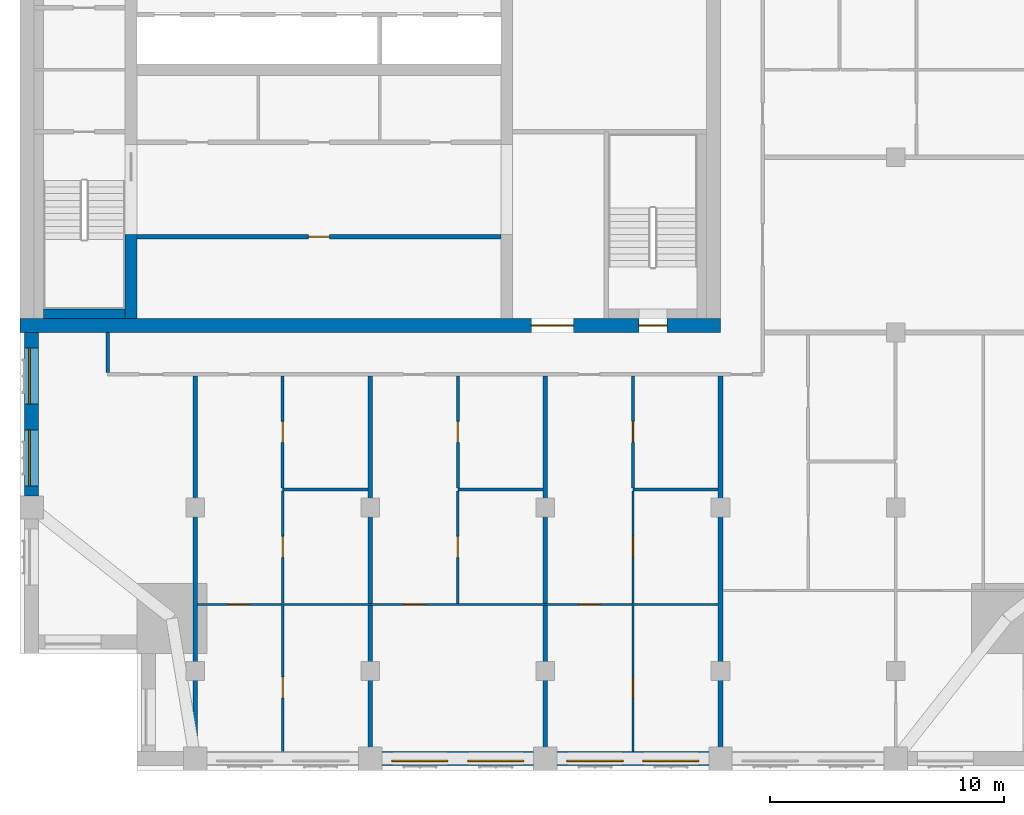
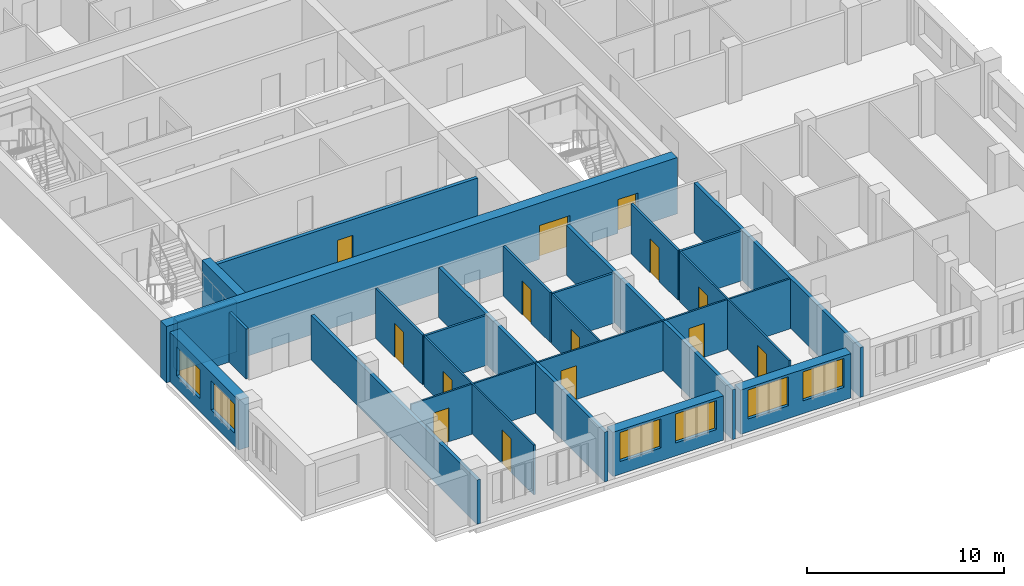
# One storey, part 3 of 11: 22 walls, 14 doors, 6 windows, 20 openings.
"""IFC4 building model written with IfcOpenShell, lengths in metres."""

import ifcopenshell
import ifcopenshell.guid

model = None  # the IFC model being written
_history = None  # IfcOwnerHistory: only IFC2X3 demands one
_inside = {}  # id of a spatial element -> (the spatial element, [elements in it])
_under = {}  # id of a project, library or spatial element -> (it, [spatial elements below it])
_declared = {}  # id of a project -> (the project, [libraries it declares])
_typed = {}  # id of a type object -> (the type object, [elements of that type])
_made_of = {}  # id of a material, layer set ... -> (it, [elements and type objects made of it])


def new_model(schema):
    """Start an empty IFC model of exactly this schema.

    Asked for "IFC4X3", IfcOpenShell would pick the latest addendum, in which some entities
    have other attributes; the version numbers below select the first issue.
    IFC2X3 requires an IfcOwnerHistory on every rooted entity: one is made here for all.
    """
    global model, _history
    if schema == "IFC4X3":
        model = ifcopenshell.file(schema_version=(4, 3, 0, 0))
    else:
        model = ifcopenshell.file(schema=schema)
    _inside.clear()
    _under.clear()
    _declared.clear()
    _typed.clear()
    _made_of.clear()
    _history = None
    if model.schema == "IFC2X3":
        org = make("IfcOrganization", Name="unknown")
        user = make(
            "IfcPersonAndOrganization",
            ThePerson=make("IfcPerson", FamilyName="unknown"),
            TheOrganization=org,
        )
        app = make(
            "IfcApplication",
            ApplicationDeveloper=org,
            Version="unknown",
            ApplicationFullName="unknown",
            ApplicationIdentifier="unknown",
        )
        _history = make(
            "IfcOwnerHistory",
            OwningUser=user,
            OwningApplication=app,
            ChangeAction="ADDED",
            CreationDate=0,
        )
    return model


def make(cls, **values):
    """One entity of the class cls with the attributes given. An attribute that is None is left unset."""
    return model.create_entity(
        cls, **{name: value for name, value in values.items() if value is not None}
    )


def rooted(cls, **values):
    """An entity with a GlobalId (a new one), such as an element, a storey or a relation."""
    return make(cls, GlobalId=ifcopenshell.guid.new(), OwnerHistory=_history, **values)


def si_unit(unit_type, name, prefix=None):
    """IfcSIUnit, for example si_unit("LENGTHUNIT", "METRE", prefix="MILLI")."""
    return make("IfcSIUnit", UnitType=unit_type, Prefix=prefix, Name=name)


def assignment(units):
    """IfcUnitAssignment: the units of a project."""
    return None if units is None else make("IfcUnitAssignment", Units=units)


def point(xyz):
    """IfcCartesianPoint."""
    return None if xyz is None else make("IfcCartesianPoint", Coordinates=xyz)


def direction(xyz):
    """IfcDirection."""
    return None if xyz is None else make("IfcDirection", DirectionRatios=xyz)


def frame(location, z_axis=None, x_axis=None):
    """IfcAxis2Placement3D, a coordinate frame: its origin and axes. An axis left out is left unset."""
    return make(
        "IfcAxis2Placement3D",
        Location=point(location),
        Axis=direction(z_axis),
        RefDirection=direction(x_axis),
    )


def frame_2d(location, x_axis=None):
    """IfcAxis2Placement2D, a coordinate frame in the plane: its origin and x axis."""
    return make(
        "IfcAxis2Placement2D", Location=point(location), RefDirection=direction(x_axis)
    )


def origin():
    """The frame at (0, 0, 0) with its axes left unset."""
    return frame((0.0, 0.0, 0.0))


def place(relative_to, where):
    """IfcLocalPlacement: puts the frame where relative to a parent placement (None: the world)."""
    return make(
        "IfcLocalPlacement", PlacementRelTo=relative_to, RelativePlacement=where
    )


def context(
    kind, dimensions, precision=None, world=None, true_north=None, identifier=None
):
    """IfcGeometricRepresentationContext, for example the 3D "Model" context."""
    return make(
        "IfcGeometricRepresentationContext",
        ContextIdentifier=identifier,
        ContextType=kind,
        CoordinateSpaceDimension=dimensions,
        Precision=precision,
        WorldCoordinateSystem=world,
        TrueNorth=true_north,
    )


def subcontext(parent, identifier, kind, view, scale=None):
    """IfcGeometricRepresentationSubContext, for example "Body" below "Model"."""
    return make(
        "IfcGeometricRepresentationSubContext",
        ContextIdentifier=identifier,
        ContextType=kind,
        ParentContext=parent,
        TargetScale=scale,
        TargetView=view,
    )


def project(units=None, contexts=None):
    """IfcProject with its units and contexts."""
    return rooted(
        "IfcProject",
        Name="project",
        RepresentationContexts=contexts,
        UnitsInContext=assignment(units),
    )


def spatial(cls, under=None, at=None, **own):
    """A site, building, storey or space (cls), placed at a placement, below another one or the project."""
    s = rooted(cls, ObjectPlacement=at, **own)
    if under is not None:
        _under.setdefault(under.id(), (under, []))[1].append(s)
    return s


def profile(cls, at=None, kind="AREA", **sizes):
    """A parametric profile (cls). Its sizes go by their IFC names, for example OverallWidth=200.0."""
    return make(cls, ProfileType=kind, Position=at, **sizes)


def rectangle(**sizes):
    """IfcRectangleProfileDef."""
    return profile("IfcRectangleProfileDef", **sizes)


def extrude(swept, where, along, depth):
    """IfcExtrudedAreaSolid: the profile swept, set in the frame where, extruded along a direction by depth."""
    return make(
        "IfcExtrudedAreaSolid",
        SweptArea=swept,
        Position=where,
        ExtrudedDirection=direction(along),
        Depth=depth,
    )


def shape(context_of_items, identifier, shape_type, items):
    """IfcShapeRepresentation: the items that make up one representation, for example the "Body"."""
    return make(
        "IfcShapeRepresentation",
        ContextOfItems=context_of_items,
        RepresentationIdentifier=identifier,
        RepresentationType=shape_type,
        Items=items,
    )


def material(Name=None, Category=None):
    """IfcMaterial."""
    return make("IfcMaterial", Name=Name, Category=Category)


def layer(
    of_material, thickness, ventilated=None, Name=None, Category=None, Priority=None
):
    """IfcMaterialLayer: one layer of a wall or slab, of a material (None: an air gap)."""
    return make(
        "IfcMaterialLayer",
        Material=of_material,
        LayerThickness=thickness,
        IsVentilated=ventilated,
        Name=Name,
        Category=Category,
        Priority=Priority,
    )


def layer_set(layers, Name=None):
    """IfcMaterialLayerSet."""
    return make("IfcMaterialLayerSet", MaterialLayers=layers, LayerSetName=Name)


def made_of(thing, what):
    """Note that an element or type object is made of a material, layer set ...; save() writes the relation."""
    if what is not None:
        _made_of.setdefault(what.id(), (what, []))[1].append(thing)
    return thing


def type_object(cls, material=None, **own):
    """A type object (cls), such as IfcWallType, which elements share."""
    return made_of(rooted(cls, **own), material)


def element(
    cls,
    number,
    at=None,
    inside=None,
    cuts=None,
    type_object=None,
    material=None,
    context=None,
    identifier="Body",
    shape_type=None,
    held_by="IfcProductDefinitionShape",
    body=None,
    shapes=None,
    **own,
):
    """One element of the class cls, such as IfcWall. Its Tag is "e" and its number.

    at: its placement. inside: the storey or other place that contains it. cuts: it is an
    opening in that element (IfcRelVoidsElement). A single representation is given by context,
    identifier, shape_type and body (its items); several are given by shapes. held_by: the class
    of the entity that holds the representations. save() writes the other relations.
    """
    e = rooted(cls, Tag="e%d" % number, ObjectPlacement=at, **own)
    if body is not None:
        shapes = [shape(context, identifier, shape_type, body)]
    if shapes is not None:
        e.Representation = make(held_by, Representations=shapes)
    if inside is not None:
        _inside.setdefault(inside.id(), (inside, []))[1].append(e)
    if cuts is not None:
        rooted(
            "IfcRelVoidsElement", RelatingBuildingElement=cuts, RelatedOpeningElement=e
        )
    if type_object is not None:
        _typed.setdefault(type_object.id(), (type_object, []))[1].append(e)
    return made_of(e, material)


def fill(opening, filler):
    """IfcRelFillsElement: the door or window that sits in an opening."""
    return rooted(
        "IfcRelFillsElement",
        RelatingOpeningElement=opening,
        RelatedBuildingElement=filler,
    )


def aggregate(whole, parts):
    """IfcRelAggregates: a whole, such as a stair, and the parts it consists of."""
    return rooted("IfcRelAggregates", RelatingObject=whole, RelatedObjects=parts)


def save(model, path):
    """Write the relations noted so far, then the file.

    IfcRelAggregates (storeys below a building ...), IfcRelContainedInSpatialStructure (elements
    in a storey), IfcRelDefinesByType, IfcRelAssociatesMaterial and IfcRelDeclares: one each for
    every whole, place, type object, material and project.
    """
    for whole, parts in _under.values():
        aggregate(whole, parts)
    for where, things in _inside.values():
        rooted(
            "IfcRelContainedInSpatialStructure",
            RelatedElements=things,
            RelatingStructure=where,
        )
    for kind, things in _typed.values():
        rooted("IfcRelDefinesByType", RelatedObjects=things, RelatingType=kind)
    for what, things in _made_of.values():
        rooted("IfcRelAssociatesMaterial", RelatedObjects=things, RelatingMaterial=what)
    for by, libraries in _declared.values():
        rooted("IfcRelDeclares", RelatingContext=by, RelatedDefinitions=libraries)
    model.write(path)


model = new_model("IFC4")

# Units and contexts
model_context = context("Model", 3, precision=1e-05, world=origin(), true_north=direction((0.0, 1.0)))
body_context = subcontext(model_context, "Body", "Model", "MODEL_VIEW")
ifc_project = project(units=[si_unit("LENGTHUNIT", "METRE"), si_unit("AREAUNIT", "SQUARE_METRE"), si_unit("VOLUMEUNIT", "CUBIC_METRE"), si_unit("PLANEANGLEUNIT", "RADIAN"), si_unit("MASSUNIT", "GRAM", prefix="KILO")], contexts=[model_context])

# Site, building, storey
site_placement = place(None, origin())
site = spatial("IfcSite", under=ifc_project, at=site_placement, CompositionType="ELEMENT")
building_placement = place(site_placement, origin())
building = spatial("IfcBuilding", under=site, at=building_placement, Name="Tamorin Gate", CompositionType="ELEMENT")
storey_placement = place(building_placement, frame((0.0, 0.0, 254.699951171875)))
storey = spatial("IfcBuildingStorey", under=building, at=storey_placement, Name="L64", CompositionType="ELEMENT", Elevation=254.699951171875)

# Wall, openings, windows
ifc_material_1 = material(Name="Precast concrete C40/50", Category="concrete")
ifc_layer_1 = layer(ifc_material_1, 0.60009765625)
ifc_layer_set_1 = layer_set([ifc_layer_1], Name="Precast concrete C40/50")
wall_type_1 = type_object("IfcWallType", Name="Board-marked concrete facade panel 600", PredefinedType="SOLIDWALL", material=ifc_layer_set_1)
wall_1_placement = place(storey_placement, frame((45.5, 41.75, 0.0), z_axis=(0.0, 0.0, 1.0), x_axis=(1.0, 0.0, 0.0)))
wall_1 = element("IfcWall", 1, at=wall_1_placement, inside=storey, type_object=wall_type_1, Name="Facade panel", PredefinedType="SOLIDWALL", context=body_context, shape_type="SweptSolid", body=[
    extrude(rectangle(XDim=6.5, YDim=0.60009765625, at=frame_2d((3.25, 0.0))), origin(), (0.0, 0.0, 1.0), 2.75),
])
opening_1_placement = place(wall_1_placement, frame((0.425048828125, 0.0, 0.800048828125)))
opening_1 = element("IfcOpeningElement", 2, at=opening_1_placement, cuts=wall_1, Name="Opening WN1", PredefinedType="OPENING", context=body_context, shape_type="SweptSolid", body=[
    extrude(rectangle(XDim=2.39990234375, YDim=1.800048828125, at=frame_2d((1.199951171875, 0.89990234375))), frame((0.0, 0.31005859375, 0.0), z_axis=(0.0, -1.0, 0.0), x_axis=(1.0, 0.0, 0.0)), (0.0, 0.0, 1.0), 0.6201171875),
])
opening_2_placement = place(wall_1_placement, frame((3.675048828125, 0.0, 0.800048828125)))
opening_2 = element("IfcOpeningElement", 3, at=opening_2_placement, cuts=wall_1, Name="Opening WN1", PredefinedType="OPENING", context=body_context, shape_type="SweptSolid", body=[
    extrude(rectangle(XDim=2.39990234375, YDim=1.800048828125, at=frame_2d((1.199951171875, 0.89990234375))), frame((0.0, 0.31005859375, 0.0), z_axis=(0.0, -1.0, 0.0), x_axis=(1.0, 0.0, 0.0)), (0.0, 0.0, 1.0), 0.6201171875),
])
ifc_material_2 = material(Name="Clear glass in aluminium frame", Category="aluminium")
window_type = type_object("IfcWindowType", Name="Deep-set window 2400x1800", PartitioningType="SINGLE_PANEL", PredefinedType="WINDOW", material=ifc_material_2)
window_1_placement = place(opening_1_placement, origin())
window_1 = element("IfcWindow", 4, at=window_1_placement, inside=storey, type_object=window_type, Name="Deep-set window", OverallHeight=1.800048828125, OverallWidth=2.39990234375, PartitioningType="SINGLE_PANEL", PredefinedType="WINDOW", context=body_context, shape_type="SweptSolid", body=[
    extrude(rectangle(XDim=2.39990234375, YDim=1.800048828125, at=frame_2d((1.199951171875, 0.89990234375))), frame((0.0, -0.070068359375, 0.0), z_axis=(0.0, -1.0, 0.0), x_axis=(1.0, 0.0, 0.0)), (0.0, 0.0, 1.0), 0.06005859375),
])
fill(opening_1, window_1)
window_2_placement = place(opening_2_placement, origin())
window_2 = element("IfcWindow", 5, at=window_2_placement, inside=storey, type_object=window_type, Name="Deep-set window", OverallHeight=1.800048828125, OverallWidth=2.39990234375, PartitioningType="SINGLE_PANEL", PredefinedType="WINDOW", context=body_context, shape_type="SweptSolid", body=[
    extrude(rectangle(XDim=2.39990234375, YDim=1.800048828125, at=frame_2d((1.199951171875, 0.89990234375))), frame((0.0, -0.070068359375, 0.0), z_axis=(0.0, -1.0, 0.0), x_axis=(1.0, 0.0, 0.0)), (0.0, 0.0, 1.0), 0.06005859375),
])
fill(opening_2, window_2)

wall_2_placement = place(storey_placement, frame((53.0, 41.75, 0.0), z_axis=(0.0, 0.0, 1.0), x_axis=(1.0, 0.0, 0.0)))
wall_2 = element("IfcWall", 6, at=wall_2_placement, inside=storey, type_object=wall_type_1, Name="Facade panel", PredefinedType="SOLIDWALL", context=body_context, shape_type="SweptSolid", body=[
    extrude(rectangle(XDim=6.5, YDim=0.60009765625, at=frame_2d((3.25, 0.0))), origin(), (0.0, 0.0, 1.0), 2.75),
])
opening_3_placement = place(wall_2_placement, frame((0.425048828125, 0.0, 0.800048828125)))
opening_3 = element("IfcOpeningElement", 7, at=opening_3_placement, cuts=wall_2, Name="Opening WN1", PredefinedType="OPENING", context=body_context, shape_type="SweptSolid", body=[
    extrude(rectangle(XDim=2.39990234375, YDim=1.800048828125, at=frame_2d((1.199951171875, 0.89990234375))), frame((0.0, 0.31005859375, 0.0), z_axis=(0.0, -1.0, 0.0), x_axis=(1.0, 0.0, 0.0)), (0.0, 0.0, 1.0), 0.6201171875),
])
opening_4_placement = place(wall_2_placement, frame((3.675048828125, 0.0, 0.800048828125)))
opening_4 = element("IfcOpeningElement", 8, at=opening_4_placement, cuts=wall_2, Name="Opening WN1", PredefinedType="OPENING", context=body_context, shape_type="SweptSolid", body=[
    extrude(rectangle(XDim=2.39990234375, YDim=1.800048828125, at=frame_2d((1.199951171875, 0.89990234375))), frame((0.0, 0.31005859375, 0.0), z_axis=(0.0, -1.0, 0.0), x_axis=(1.0, 0.0, 0.0)), (0.0, 0.0, 1.0), 0.6201171875),
])
window_3_placement = place(opening_3_placement, origin())
window_3 = element("IfcWindow", 9, at=window_3_placement, inside=storey, type_object=window_type, Name="Deep-set window", OverallHeight=1.800048828125, OverallWidth=2.39990234375, PartitioningType="SINGLE_PANEL", PredefinedType="WINDOW", context=body_context, shape_type="SweptSolid", body=[
    extrude(rectangle(XDim=2.39990234375, YDim=1.800048828125, at=frame_2d((1.199951171875, 0.89990234375))), frame((0.0, -0.070068359375, 0.0), z_axis=(0.0, -1.0, 0.0), x_axis=(1.0, 0.0, 0.0)), (0.0, 0.0, 1.0), 0.06005859375),
])
fill(opening_3, window_3)
window_4_placement = place(opening_4_placement, origin())
window_4 = element("IfcWindow", 10, at=window_4_placement, inside=storey, type_object=window_type, Name="Deep-set window", OverallHeight=1.800048828125, OverallWidth=2.39990234375, PartitioningType="SINGLE_PANEL", PredefinedType="WINDOW", context=body_context, shape_type="SweptSolid", body=[
    extrude(rectangle(XDim=2.39990234375, YDim=1.800048828125, at=frame_2d((1.199951171875, 0.89990234375))), frame((0.0, -0.070068359375, 0.0), z_axis=(0.0, -1.0, 0.0), x_axis=(1.0, 0.0, 0.0)), (0.0, 0.0, 1.0), 0.06005859375),
])
fill(opening_4, window_4)

wall_3_placement = place(storey_placement, frame((30.5, 60.0, 0.0), z_axis=(0.0, 0.0, 1.0), x_axis=(0.0, -1.0, 0.0)))
wall_3 = element("IfcWall", 11, at=wall_3_placement, inside=storey, type_object=wall_type_1, Name="Facade panel", PredefinedType="SOLIDWALL", context=body_context, shape_type="SweptSolid", body=[
    extrude(rectangle(XDim=7.0, YDim=0.60009765625, at=frame_2d((3.5, 0.0))), origin(), (0.0, 0.0, 1.0), 3.10009765625),
])
opening_5_placement = place(wall_3_placement, frame((4.175048828125, 0.0, 0.800048828125)))
opening_5 = element("IfcOpeningElement", 12, at=opening_5_placement, cuts=wall_3, Name="Opening WN1", PredefinedType="OPENING", context=body_context, shape_type="SweptSolid", body=[
    extrude(rectangle(XDim=2.39990234375, YDim=1.800048828125, at=frame_2d((1.199951171875, 0.89990234375))), frame((0.0, 0.31005859375, 0.0), z_axis=(0.0, -1.0, 0.0), x_axis=(1.0, 0.0, 0.0)), (0.0, 0.0, 1.0), 0.6201171875),
])
opening_6_placement = place(wall_3_placement, frame((0.675048828125, 0.0, 0.800048828125)))
opening_6 = element("IfcOpeningElement", 13, at=opening_6_placement, cuts=wall_3, Name="Opening WN1", PredefinedType="OPENING", context=body_context, shape_type="SweptSolid", body=[
    extrude(rectangle(XDim=2.39990234375, YDim=1.800048828125, at=frame_2d((1.199951171875, 0.89990234375))), frame((0.0, 0.31005859375, 0.0), z_axis=(0.0, -1.0, 0.0), x_axis=(1.0, 0.0, 0.0)), (0.0, 0.0, 1.0), 0.6201171875),
])
window_5_placement = place(opening_5_placement, origin())
window_5 = element("IfcWindow", 14, at=window_5_placement, inside=storey, type_object=window_type, Name="Deep-set window", OverallHeight=1.800048828125, OverallWidth=2.39990234375, PartitioningType="SINGLE_PANEL", PredefinedType="WINDOW", context=body_context, shape_type="SweptSolid", body=[
    extrude(rectangle(XDim=2.39990234375, YDim=1.800048828125, at=frame_2d((1.199951171875, 0.89990234375))), frame((0.0, -0.070068359375, 0.0), z_axis=(0.0, -1.0, 0.0), x_axis=(1.0, 0.0, 0.0)), (0.0, 0.0, 1.0), 0.06005859375),
])
fill(opening_5, window_5)
window_6_placement = place(opening_6_placement, origin())
window_6 = element("IfcWindow", 15, at=window_6_placement, inside=storey, type_object=window_type, Name="Deep-set window", OverallHeight=1.800048828125, OverallWidth=2.39990234375, PartitioningType="SINGLE_PANEL", PredefinedType="WINDOW", context=body_context, shape_type="SweptSolid", body=[
    extrude(rectangle(XDim=2.39990234375, YDim=1.800048828125, at=frame_2d((1.199951171875, 0.89990234375))), frame((0.0, -0.070068359375, 0.0), z_axis=(0.0, -1.0, 0.0), x_axis=(1.0, 0.0, 0.0)), (0.0, 0.0, 1.0), 0.06005859375),
])
fill(opening_6, window_6)

# Walls
ifc_material_3 = material(Name="Gypsum board partition")
ifc_layer_2 = layer(ifc_material_3, 0.14990234375)
ifc_layer_set_2 = layer_set([ifc_layer_2], Name="Corridor wall 150")
wall_type_2 = type_object("IfcWallType", Name="Corridor wall 150", PredefinedType="PARTITIONING", material=ifc_layer_set_2)
wall_4_placement = place(storey_placement, frame((33.75, 58.27490234375, 0.0), z_axis=(0.0, 0.0, 1.0), x_axis=(0.0, 1.0, 0.0)))
element("IfcWall", 16, at=wall_4_placement, inside=storey, type_object=wall_type_2, Name="Corridor wall 150", PredefinedType="PARTITIONING", context=body_context, shape_type="SweptSolid", body=[
    extrude(rectangle(XDim=1.72509765625, YDim=0.14990234375, at=frame_2d((0.862548828125, 0.0))), origin(), (0.0, 0.0, 1.0), 3.10009765625),
])
ifc_layer_3 = layer(ifc_material_3, 0.199951171875)
ifc_layer_set_3 = layer_set([ifc_layer_3], Name="Demising wall 200")
wall_type_3 = type_object("IfcWallType", Name="Demising wall 200", PredefinedType="PARTITIONING", material=ifc_layer_set_3)
wall_5_placement = place(storey_placement, frame((37.5, 41.25, 0.0), z_axis=(0.0, 0.0, 1.0), x_axis=(0.0, 1.0, 0.0)))
element("IfcWall", 17, at=wall_5_placement, inside=storey, type_object=wall_type_3, Name="Demising wall 200", PredefinedType="PARTITIONING", context=body_context, shape_type="SweptSolid", body=[
    extrude(rectangle(XDim=16.875, YDim=0.199951171875, at=frame_2d((8.4375, 0.0))), origin(), (0.0, 0.0, 1.0), 2.75),
])
for number, where, z_axis, x_axis, name in (
    (18, (45.0, 41.25, 0.0), (0.0, 0.0, 1.0), (0.0, 1.0, 0.0), "Demising wall 200"),
    (19, (52.5, 41.25, 0.0), (0.0, 0.0, 1.0), (0.0, 1.0, 0.0), "Demising wall 200"),
    (20, (60.0, 41.25, 0.0), (0.0, 0.0, 1.0), (0.0, 1.0, 0.0), "Demising wall 200"),
):
    element("IfcWall", number, at=place(storey_placement, frame(where, z_axis=z_axis, x_axis=x_axis)), inside=storey, type_object=wall_type_3, Name=name, PredefinedType="PARTITIONING", context=body_context, shape_type="SweptSolid", body=[
        extrude(rectangle(XDim=16.875, YDim=0.199951171875, at=frame_2d((8.4375, 0.0))), origin(), (0.0, 0.0, 1.0), 3.10009765625),
    ])
ifc_material_4 = material(Name="Concrete C50/60", Category="concrete")
ifc_layer_4 = layer(ifc_material_4, 0.5)
ifc_layer_set_4 = layer_set([ifc_layer_4], Name="RC core internal wall 500 C50/60")
wall_type_4 = type_object("IfcWallType", Name="RC core internal wall 500 C50/60", PredefinedType="SHEAR", material=ifc_layer_set_4)
wall_6_placement = place(storey_placement, frame((34.75, 60.60009765625, 0.0), z_axis=(0.0, 0.0, 1.0), x_axis=(0.0, 1.0, 0.0)))
element("IfcWall", 21, at=wall_6_placement, inside=storey, type_object=wall_type_4, Name="Core cross wall L64", PredefinedType="SHEAR", context=body_context, shape_type="SweptSolid", body=[
    extrude(rectangle(XDim=3.599853515625, YDim=0.5, at=frame_2d((1.7998046875, 0.0))), origin(), (0.0, 0.0, 1.0), 3.5),
])

# Wall, openings, doors
ifc_layer_5 = layer(ifc_material_4, 0.60009765625)
ifc_layer_set_5 = layer_set([ifc_layer_5], Name="RC core wall 600 C50/60")
wall_type_5 = type_object("IfcWallType", Name="RC core wall 600 C50/60", PredefinedType="SHEAR", material=ifc_layer_set_5)
wall_7_placement = place(storey_placement, frame((30.0, 60.300048828125, 0.0), z_axis=(0.0, 0.0, 1.0), x_axis=(1.0, 0.0, 0.0)))
wall_7 = element("IfcWall", 22, at=wall_7_placement, inside=storey, type_object=wall_type_5, Name="Core wall L64", PredefinedType="SHEAR", context=body_context, shape_type="SweptSolid", body=[
    extrude(rectangle(XDim=30.0, YDim=0.60009765625, at=frame_2d((15.0, 0.0))), origin(), (0.0, 0.0, 1.0), 3.5),
])
opening_7_placement = place(wall_7_placement, frame((21.89990234375, 0.0, 0.0)))
opening_7 = element("IfcOpeningElement", 23, at=opening_7_placement, cuts=wall_7, Name="Opening DE1", PredefinedType="OPENING", context=body_context, shape_type="SweptSolid", body=[
    extrude(rectangle(XDim=1.800048828125, YDim=2.10009765625, at=frame_2d((0.89990234375, 1.050048828125))), frame((0.0, 0.31005859375, 0.0), z_axis=(0.0, -1.0, 0.0), x_axis=(1.0, 0.0, 0.0)), (0.0, 0.0, 1.0), 0.6201171875),
])
opening_8_placement = place(wall_7_placement, frame((26.5, 0.0, 0.0)))
opening_8 = element("IfcOpeningElement", 24, at=opening_8_placement, cuts=wall_7, Name="Opening DS1", PredefinedType="OPENING", context=body_context, shape_type="SweptSolid", body=[
    extrude(rectangle(XDim=1.199951171875, YDim=2.10009765625, at=frame_2d((0.60009765625, 1.050048828125))), frame((0.0, 0.31005859375, 0.0), z_axis=(0.0, -1.0, 0.0), x_axis=(1.0, 0.0, 0.0)), (0.0, 0.0, 1.0), 0.6201171875),
])
ifc_material_5 = material(Name="Steel fire door", Category="steel")
door_type_1 = type_object("IfcDoorType", Name="Lobby exit double door 1800 x 2100 EI 60", OperationType="DOUBLE_DOOR_SINGLE_SWING", PredefinedType="DOOR", material=ifc_material_5)
door_1_placement = place(opening_7_placement, origin())
door_1 = element("IfcDoor", 25, at=door_1_placement, inside=storey, type_object=door_type_1, Name="Lift lobby A exit door", OperationType="DOUBLE_DOOR_SINGLE_SWING", OverallHeight=2.10009765625, OverallWidth=1.800048828125, PredefinedType="DOOR", context=body_context, shape_type="SweptSolid", body=[
    extrude(rectangle(XDim=1.800048828125, YDim=2.10009765625, at=frame_2d((0.89990234375, 1.050048828125))), frame((0.0, 0.02490234375, 0.0), z_axis=(0.0, -1.0, 0.0), x_axis=(1.0, 0.0, 0.0)), (0.0, 0.0, 1.0), 0.050048828125),
])
fill(opening_7, door_1)
door_type_2 = type_object("IfcDoorType", Name="Stair door 1200 x 2100 EI 90", OperationType="SINGLE_SWING_LEFT", PredefinedType="DOOR", material=ifc_material_5)
door_2_placement = place(opening_8_placement, origin())
door_2 = element("IfcDoor", 26, at=door_2_placement, inside=storey, type_object=door_type_2, Name="ST3 door", OperationType="SINGLE_SWING_LEFT", OverallHeight=2.10009765625, OverallWidth=1.199951171875, PredefinedType="DOOR", context=body_context, shape_type="SweptSolid", body=[
    extrude(rectangle(XDim=1.199951171875, YDim=2.10009765625, at=frame_2d((0.60009765625, 1.050048828125))), frame((0.0, 0.02490234375, 0.0), z_axis=(0.0, -1.0, 0.0), x_axis=(1.0, 0.0, 0.0)), (0.0, 0.0, 1.0), 0.050048828125),
])
fill(opening_8, door_2)

ifc_layer_6 = layer(ifc_material_3, 0.10009765625)
ifc_layer_set_6 = layer_set([ifc_layer_6], Name="Room partition 100")
wall_type_6 = type_object("IfcWallType", Name="Room partition 100", PredefinedType="PARTITIONING", material=ifc_layer_set_6)
wall_8_placement = place(storey_placement, frame((37.60009765625, 48.35009765625, 0.0), z_axis=(0.0, 0.0, 1.0), x_axis=(1.0, 0.0, 0.0)))
wall_8 = element("IfcWall", 27, at=wall_8_placement, inside=storey, type_object=wall_type_6, Name="Room partition 100", PredefinedType="PARTITIONING", context=body_context, shape_type="SweptSolid", body=[
    extrude(rectangle(XDim=22.2998046875, YDim=0.10009765625, at=frame_2d((11.14990234375, 0.0))), origin(), (0.0, 0.0, 1.0), 3.10009765625),
])
opening_9_placement = place(wall_8_placement, frame((1.324951171875, 0.0, 0.0)))
opening_9 = element("IfcOpeningElement", 28, at=opening_9_placement, cuts=wall_8, Name="Opening DR6003", PredefinedType="OPENING", context=body_context, shape_type="SweptSolid", body=[
    extrude(rectangle(XDim=0.89990234375, YDim=2.10009765625, at=frame_2d((0.449951171875, 1.050048828125))), frame((0.0, 0.06005859375, 0.0), z_axis=(0.0, -1.0, 0.0), x_axis=(1.0, 0.0, 0.0)), (0.0, 0.0, 1.0), 0.1201171875),
])
opening_10_placement = place(wall_8_placement, frame((8.824951171875, 0.0, 0.0)))
opening_10 = element("IfcOpeningElement", 29, at=opening_10_placement, cuts=wall_8, Name="Opening DR6008", PredefinedType="OPENING", context=body_context, shape_type="SweptSolid", body=[
    extrude(rectangle(XDim=0.89990234375, YDim=2.10009765625, at=frame_2d((0.449951171875, 1.050048828125))), frame((0.0, 0.06005859375, 0.0), z_axis=(0.0, -1.0, 0.0), x_axis=(1.0, 0.0, 0.0)), (0.0, 0.0, 1.0), 0.1201171875),
])
opening_11_placement = place(wall_8_placement, frame((16.324951171875, 0.0, 0.0)))
opening_11 = element("IfcOpeningElement", 30, at=opening_11_placement, cuts=wall_8, Name="Opening DR6012", PredefinedType="OPENING", context=body_context, shape_type="SweptSolid", body=[
    extrude(rectangle(XDim=0.89990234375, YDim=2.10009765625, at=frame_2d((0.449951171875, 1.050048828125))), frame((0.0, 0.06005859375, 0.0), z_axis=(0.0, -1.0, 0.0), x_axis=(1.0, 0.0, 0.0)), (0.0, 0.0, 1.0), 0.1201171875),
])
ifc_material_6 = material(Name="Timber door leaf", Category="wood")
door_type_3 = type_object("IfcDoorType", Name="Door 900 x 2100", OperationType="NOTDEFINED", PredefinedType="DOOR", material=ifc_material_6)
door_3_placement = place(opening_9_placement, origin())
door_3 = element("IfcDoor", 31, at=door_3_placement, inside=storey, type_object=door_type_3, Name="Door DR6003", OperationType="SINGLE_SWING_LEFT", OverallHeight=2.10009765625, OverallWidth=0.89990234375, PredefinedType="DOOR", context=body_context, shape_type="SweptSolid", body=[
    extrude(rectangle(XDim=0.89990234375, YDim=2.10009765625, at=frame_2d((0.449951171875, 1.050048828125))), frame((0.0, 0.02490234375, 0.0), z_axis=(0.0, -1.0, 0.0), x_axis=(1.0, 0.0, 0.0)), (0.0, 0.0, 1.0), 0.050048828125),
])
fill(opening_9, door_3)
door_4_placement = place(opening_10_placement, origin())
door_4 = element("IfcDoor", 32, at=door_4_placement, inside=storey, type_object=door_type_3, Name="Door DR6008", OperationType="SINGLE_SWING_LEFT", OverallHeight=2.10009765625, OverallWidth=0.89990234375, PredefinedType="DOOR", context=body_context, shape_type="SweptSolid", body=[
    extrude(rectangle(XDim=0.89990234375, YDim=2.10009765625, at=frame_2d((0.449951171875, 1.050048828125))), frame((0.0, 0.02490234375, 0.0), z_axis=(0.0, -1.0, 0.0), x_axis=(1.0, 0.0, 0.0)), (0.0, 0.0, 1.0), 0.050048828125),
])
fill(opening_10, door_4)
door_5_placement = place(opening_11_placement, origin())
door_5 = element("IfcDoor", 33, at=door_5_placement, inside=storey, type_object=door_type_3, Name="Door DR6012", OperationType="SINGLE_SWING_LEFT", OverallHeight=2.10009765625, OverallWidth=0.89990234375, PredefinedType="DOOR", context=body_context, shape_type="SweptSolid", body=[
    extrude(rectangle(XDim=0.89990234375, YDim=2.10009765625, at=frame_2d((0.449951171875, 1.050048828125))), frame((0.0, 0.02490234375, 0.0), z_axis=(0.0, -1.0, 0.0), x_axis=(1.0, 0.0, 0.0)), (0.0, 0.0, 1.0), 0.050048828125),
])
fill(opening_11, door_5)

wall_9_placement = place(storey_placement, frame((41.25, 42.06005859375, 0.0), z_axis=(0.0, 0.0, 1.0), x_axis=(0.0, 1.0, 0.0)))
wall_9 = element("IfcWall", 34, at=wall_9_placement, inside=storey, type_object=wall_type_6, Name="Room partition 100", PredefinedType="PARTITIONING", context=body_context, shape_type="SweptSolid", body=[
    extrude(rectangle(XDim=11.15234375, YDim=0.10009765625, at=frame_2d((5.576171875, 0.0))), origin(), (0.0, 0.0, 1.0), 3.10009765625),
])
opening_12_placement = place(wall_9_placement, frame((8.302490234375, 0.0, 0.0)))
opening_12 = element("IfcOpeningElement", 35, at=opening_12_placement, cuts=wall_9, Name="Opening DR6004", PredefinedType="OPENING", context=body_context, shape_type="SweptSolid", body=[
    extrude(rectangle(XDim=0.89990234375, YDim=2.10009765625, at=frame_2d((0.449951171875, 1.050048828125))), frame((0.0, 0.06005859375, 0.0), z_axis=(0.0, -1.0, 0.0), x_axis=(1.0, 0.0, 0.0)), (0.0, 0.0, 1.0), 0.1201171875),
])
opening_13_placement = place(wall_9_placement, frame((2.2900390625, 0.0, 0.0)))
opening_13 = element("IfcOpeningElement", 36, at=opening_13_placement, cuts=wall_9, Name="Opening DR6006", PredefinedType="OPENING", context=body_context, shape_type="SweptSolid", body=[
    extrude(rectangle(XDim=0.89990234375, YDim=2.10009765625, at=frame_2d((0.449951171875, 1.050048828125))), frame((0.0, 0.06005859375, 0.0), z_axis=(0.0, -1.0, 0.0), x_axis=(1.0, 0.0, 0.0)), (0.0, 0.0, 1.0), 0.1201171875),
])
door_6_placement = place(opening_12_placement, origin())
door_6 = element("IfcDoor", 37, at=door_6_placement, inside=storey, type_object=door_type_3, Name="Door DR6004", OperationType="SINGLE_SWING_LEFT", OverallHeight=2.10009765625, OverallWidth=0.89990234375, PredefinedType="DOOR", context=body_context, shape_type="SweptSolid", body=[
    extrude(rectangle(XDim=0.89990234375, YDim=2.10009765625, at=frame_2d((0.449951171875, 1.050048828125))), frame((0.0, 0.02490234375, 0.0), z_axis=(0.0, -1.0, 0.0), x_axis=(1.0, 0.0, 0.0)), (0.0, 0.0, 1.0), 0.050048828125),
])
fill(opening_12, door_6)
door_7_placement = place(opening_13_placement, origin())
door_7 = element("IfcDoor", 38, at=door_7_placement, inside=storey, type_object=door_type_3, Name="Door DR6006", OperationType="SINGLE_SWING_LEFT", OverallHeight=2.10009765625, OverallWidth=0.89990234375, PredefinedType="DOOR", context=body_context, shape_type="SweptSolid", body=[
    extrude(rectangle(XDim=0.89990234375, YDim=2.10009765625, at=frame_2d((0.449951171875, 1.050048828125))), frame((0.0, 0.02490234375, 0.0), z_axis=(0.0, -1.0, 0.0), x_axis=(1.0, 0.0, 0.0)), (0.0, 0.0, 1.0), 0.050048828125),
])
fill(opening_13, door_7)

# Wall, opening, door
wall_10_placement = place(storey_placement, frame((48.75, 48.39990234375, 0.0), z_axis=(0.0, 0.0, 1.0), x_axis=(0.0, 1.0, 0.0)))
wall_10 = element("IfcWall", 39, at=wall_10_placement, inside=storey, type_object=wall_type_6, Name="Room partition 100", PredefinedType="PARTITIONING", context=body_context, shape_type="SweptSolid", body=[
    extrude(rectangle(XDim=4.8125, YDim=0.10009765625, at=frame_2d((2.40625, 0.0))), origin(), (0.0, 0.0, 1.0), 3.10009765625),
])
opening_14_placement = place(wall_10_placement, frame((1.96240234375, 0.0, 0.0)))
opening_14 = element("IfcOpeningElement", 40, at=opening_14_placement, cuts=wall_10, Name="Opening DR6009", PredefinedType="OPENING", context=body_context, shape_type="SweptSolid", body=[
    extrude(rectangle(XDim=0.89990234375, YDim=2.10009765625, at=frame_2d((0.449951171875, 1.050048828125))), frame((0.0, 0.06005859375, 0.0), z_axis=(0.0, -1.0, 0.0), x_axis=(1.0, 0.0, 0.0)), (0.0, 0.0, 1.0), 0.1201171875),
])
door_8_placement = place(opening_14_placement, origin())
door_8 = element("IfcDoor", 41, at=door_8_placement, inside=storey, type_object=door_type_3, Name="Door DR6009", OperationType="SINGLE_SWING_LEFT", OverallHeight=2.10009765625, OverallWidth=0.89990234375, PredefinedType="DOOR", context=body_context, shape_type="SweptSolid", body=[
    extrude(rectangle(XDim=0.89990234375, YDim=2.10009765625, at=frame_2d((0.449951171875, 1.050048828125))), frame((0.0, 0.02490234375, 0.0), z_axis=(0.0, -1.0, 0.0), x_axis=(1.0, 0.0, 0.0)), (0.0, 0.0, 1.0), 0.050048828125),
])
fill(opening_14, door_8)

# Wall, openings, doors
wall_11_placement = place(storey_placement, frame((56.25, 42.06005859375, 0.0), z_axis=(0.0, 0.0, 1.0), x_axis=(0.0, 1.0, 0.0)))
wall_11 = element("IfcWall", 42, at=wall_11_placement, inside=storey, type_object=wall_type_6, Name="Room partition 100", PredefinedType="PARTITIONING", context=body_context, shape_type="SweptSolid", body=[
    extrude(rectangle(XDim=11.15234375, YDim=0.10009765625, at=frame_2d((5.576171875, 0.0))), origin(), (0.0, 0.0, 1.0), 3.10009765625),
])
opening_15_placement = place(wall_11_placement, frame((8.302490234375, 0.0, 0.0)))
opening_15 = element("IfcOpeningElement", 43, at=opening_15_placement, cuts=wall_11, Name="Opening DR6013", PredefinedType="OPENING", context=body_context, shape_type="SweptSolid", body=[
    extrude(rectangle(XDim=0.89990234375, YDim=2.10009765625, at=frame_2d((0.449951171875, 1.050048828125))), frame((0.0, 0.06005859375, 0.0), z_axis=(0.0, -1.0, 0.0), x_axis=(1.0, 0.0, 0.0)), (0.0, 0.0, 1.0), 0.1201171875),
])
opening_16_placement = place(wall_11_placement, frame((2.2900390625, 0.0, 0.0)))
opening_16 = element("IfcOpeningElement", 44, at=opening_16_placement, cuts=wall_11, Name="Opening DR6015", PredefinedType="OPENING", context=body_context, shape_type="SweptSolid", body=[
    extrude(rectangle(XDim=0.89990234375, YDim=2.10009765625, at=frame_2d((0.449951171875, 1.050048828125))), frame((0.0, 0.06005859375, 0.0), z_axis=(0.0, -1.0, 0.0), x_axis=(1.0, 0.0, 0.0)), (0.0, 0.0, 1.0), 0.1201171875),
])
door_9_placement = place(opening_15_placement, origin())
door_9 = element("IfcDoor", 45, at=door_9_placement, inside=storey, type_object=door_type_3, Name="Door DR6013", OperationType="SINGLE_SWING_LEFT", OverallHeight=2.10009765625, OverallWidth=0.89990234375, PredefinedType="DOOR", context=body_context, shape_type="SweptSolid", body=[
    extrude(rectangle(XDim=0.89990234375, YDim=2.10009765625, at=frame_2d((0.449951171875, 1.050048828125))), frame((0.0, 0.02490234375, 0.0), z_axis=(0.0, -1.0, 0.0), x_axis=(1.0, 0.0, 0.0)), (0.0, 0.0, 1.0), 0.050048828125),
])
fill(opening_15, door_9)
door_10_placement = place(opening_16_placement, origin())
door_10 = element("IfcDoor", 46, at=door_10_placement, inside=storey, type_object=door_type_3, Name="Door DR6015", OperationType="SINGLE_SWING_LEFT", OverallHeight=2.10009765625, OverallWidth=0.89990234375, PredefinedType="DOOR", context=body_context, shape_type="SweptSolid", body=[
    extrude(rectangle(XDim=0.89990234375, YDim=2.10009765625, at=frame_2d((0.449951171875, 1.050048828125))), frame((0.0, 0.02490234375, 0.0), z_axis=(0.0, -1.0, 0.0), x_axis=(1.0, 0.0, 0.0)), (0.0, 0.0, 1.0), 0.050048828125),
])
fill(opening_16, door_10)

# Wall, opening, door
ifc_layer_7 = layer(ifc_material_3, 0.199951171875)
ifc_layer_set_7 = layer_set([ifc_layer_7], Name="Service room face wall 200 EI 60")
wall_type_7 = type_object("IfcWallType", Name="Service room face wall 200 EI 60", PredefinedType="PARTITIONING", material=ifc_layer_set_7)
wall_12_placement = place(storey_placement, frame((35.0, 64.10009765625, 0.0), z_axis=(0.0, 0.0, 1.0), x_axis=(1.0, 0.0, 0.0)))
wall_12 = element("IfcWall", 47, at=wall_12_placement, inside=storey, type_object=wall_type_7, Name="Service room face wall", PredefinedType="PARTITIONING", context=body_context, shape_type="SweptSolid", body=[
    extrude(rectangle(XDim=15.60009765625, YDim=0.199951171875, at=frame_2d((7.800048828125, 0.0))), origin(), (0.0, 0.0, 1.0), 3.090087890625),
])
opening_17_placement = place(wall_12_placement, frame((7.35009765625, 0.0, 0.0)))
opening_17 = element("IfcOpeningElement", 48, at=opening_17_placement, cuts=wall_12, Name="Opening DK1", PredefinedType="OPENING", context=body_context, shape_type="SweptSolid", body=[
    extrude(rectangle(XDim=0.89990234375, YDim=2.10009765625, at=frame_2d((0.449951171875, 1.050048828125))), frame((0.0, 0.10986328125, 0.0), z_axis=(0.0, -1.0, 0.0), x_axis=(1.0, 0.0, 0.0)), (0.0, 0.0, 1.0), 0.219970703125),
])
ifc_material_7 = material(Name="Timber fire door", Category="wood")
door_type_4 = type_object("IfcDoorType", Name="Service room door 900 x 2100 EI 60", OperationType="SINGLE_SWING_LEFT", PredefinedType="DOOR", material=ifc_material_7)
door_11_placement = place(opening_17_placement, origin())
door_11 = element("IfcDoor", 49, at=door_11_placement, inside=storey, type_object=door_type_4, Name="Door Housekeeping store", OperationType="SINGLE_SWING_RIGHT", OverallHeight=2.10009765625, OverallWidth=0.89990234375, PredefinedType="DOOR", context=body_context, shape_type="SweptSolid", body=[
    extrude(rectangle(XDim=0.89990234375, YDim=2.10009765625, at=frame_2d((0.449951171875, 1.050048828125))), frame((0.0, 0.02490234375, 0.0), z_axis=(0.0, -1.0, 0.0), x_axis=(1.0, 0.0, 0.0)), (0.0, 0.0, 1.0), 0.050048828125),
])
fill(opening_17, door_11)

# Walls
ifc_layer_8 = layer(ifc_material_4, 0.39990234375)
ifc_layer_set_8 = layer_set([ifc_layer_8], Name="Stair lining wall 400 EI 120 C50/60")
wall_type_8 = type_object("IfcWallType", Name="Stair lining wall 400 EI 120 C50/60", PredefinedType="SOLIDWALL", material=ifc_layer_set_8)
wall_13_placement = place(storey_placement, frame((31.0, 60.800048828125, 0.0), z_axis=(0.0, 0.0, 1.0), x_axis=(1.0, 0.0, 0.0)))
element("IfcWall", 50, at=wall_13_placement, inside=storey, type_object=wall_type_8, Name="Stair lining wall", PredefinedType="SOLIDWALL", context=body_context, shape_type="SweptSolid", body=[
    extrude(rectangle(XDim=3.5, YDim=0.39990234375, at=frame_2d((1.75, 0.0))), origin(), (0.0, 0.0, 1.0), 3.090087890625),
])
ifc_layer_9 = layer(ifc_material_3, 0.125)
ifc_layer_set_9 = layer_set([ifc_layer_9], Name="Wet wall 125")
wall_type_9 = type_object("IfcWallType", Name="Wet wall 125", PredefinedType="PARTITIONING", material=ifc_layer_set_9)
for number, where, z_axis, x_axis, name in (
    (51, (41.25, 53.27490234375, 0.0), (0.0, 0.0, 1.0), (1.0, 0.0, 0.0), "Wet wall 125"),
    (52, (48.75, 53.27490234375, 0.0), (0.0, 0.0, 1.0), (1.0, 0.0, 0.0), "Wet wall 125"),
    (53, (56.25, 53.27490234375, 0.0), (0.0, 0.0, 1.0), (1.0, 0.0, 0.0), "Wet wall 125"),
):
    element("IfcWall", number, at=place(storey_placement, frame(where, z_axis=z_axis, x_axis=x_axis)), inside=storey, type_object=wall_type_9, Name=name, PredefinedType="PARTITIONING", context=body_context, shape_type="SweptSolid", body=[
        extrude(rectangle(XDim=3.64990234375, YDim=0.125, at=frame_2d((1.824951171875, 0.0))), origin(), (0.0, 0.0, 1.0), 3.10009765625),
    ])

# Wall, opening, door
wall_14_placement = place(storey_placement, frame((41.25, 53.33740234375, 0.0), z_axis=(0.0, 0.0, 1.0), x_axis=(0.0, 1.0, 0.0)))
wall_14 = element("IfcWall", 54, at=wall_14_placement, inside=storey, type_object=wall_type_9, Name="Wet wall 125", PredefinedType="PARTITIONING", context=body_context, shape_type="SweptSolid", body=[
    extrude(rectangle(XDim=4.78759765625, YDim=0.125, at=frame_2d((2.393798828125, 0.0))), origin(), (0.0, 0.0, 1.0), 3.10009765625),
])
opening_18_placement = place(wall_14_placement, frame((1.949951171875, 0.0, 0.0)))
opening_18 = element("IfcOpeningElement", 55, at=opening_18_placement, cuts=wall_14, Name="Opening DR6005", PredefinedType="OPENING", context=body_context, shape_type="SweptSolid", body=[
    extrude(rectangle(XDim=0.89990234375, YDim=2.10009765625, at=frame_2d((0.449951171875, 1.050048828125))), frame((0.0, 0.072509765625, 0.0), z_axis=(0.0, -1.0, 0.0), x_axis=(1.0, 0.0, 0.0)), (0.0, 0.0, 1.0), 0.14501953125),
])
door_12_placement = place(opening_18_placement, origin())
door_12 = element("IfcDoor", 56, at=door_12_placement, inside=storey, type_object=door_type_3, Name="Door DR6005", OperationType="SINGLE_SWING_RIGHT", OverallHeight=2.10009765625, OverallWidth=0.89990234375, PredefinedType="DOOR", context=body_context, shape_type="SweptSolid", body=[
    extrude(rectangle(XDim=0.89990234375, YDim=2.10009765625, at=frame_2d((0.449951171875, 1.050048828125))), frame((0.0, 0.02490234375, 0.0), z_axis=(0.0, -1.0, 0.0), x_axis=(1.0, 0.0, 0.0)), (0.0, 0.0, 1.0), 0.050048828125),
])
fill(opening_18, door_12)

wall_15_placement = place(storey_placement, frame((48.75, 53.33740234375, 0.0), z_axis=(0.0, 0.0, 1.0), x_axis=(0.0, 1.0, 0.0)))
wall_15 = element("IfcWall", 57, at=wall_15_placement, inside=storey, type_object=wall_type_9, Name="Wet wall 125", PredefinedType="PARTITIONING", context=body_context, shape_type="SweptSolid", body=[
    extrude(rectangle(XDim=4.78759765625, YDim=0.125, at=frame_2d((2.393798828125, 0.0))), origin(), (0.0, 0.0, 1.0), 3.10009765625),
])
opening_19_placement = place(wall_15_placement, frame((1.949951171875, 0.0, 0.0)))
opening_19 = element("IfcOpeningElement", 58, at=opening_19_placement, cuts=wall_15, Name="Opening DR6010", PredefinedType="OPENING", context=body_context, shape_type="SweptSolid", body=[
    extrude(rectangle(XDim=0.89990234375, YDim=2.10009765625, at=frame_2d((0.449951171875, 1.050048828125))), frame((0.0, 0.072509765625, 0.0), z_axis=(0.0, -1.0, 0.0), x_axis=(1.0, 0.0, 0.0)), (0.0, 0.0, 1.0), 0.14501953125),
])
door_13_placement = place(opening_19_placement, origin())
door_13 = element("IfcDoor", 59, at=door_13_placement, inside=storey, type_object=door_type_3, Name="Door DR6010", OperationType="SINGLE_SWING_RIGHT", OverallHeight=2.10009765625, OverallWidth=0.89990234375, PredefinedType="DOOR", context=body_context, shape_type="SweptSolid", body=[
    extrude(rectangle(XDim=0.89990234375, YDim=2.10009765625, at=frame_2d((0.449951171875, 1.050048828125))), frame((0.0, 0.02490234375, 0.0), z_axis=(0.0, -1.0, 0.0), x_axis=(1.0, 0.0, 0.0)), (0.0, 0.0, 1.0), 0.050048828125),
])
fill(opening_19, door_13)

wall_16_placement = place(storey_placement, frame((56.25, 53.33740234375, 0.0), z_axis=(0.0, 0.0, 1.0), x_axis=(0.0, 1.0, 0.0)))
wall_16 = element("IfcWall", 60, at=wall_16_placement, inside=storey, type_object=wall_type_9, Name="Wet wall 125", PredefinedType="PARTITIONING", context=body_context, shape_type="SweptSolid", body=[
    extrude(rectangle(XDim=4.78759765625, YDim=0.125, at=frame_2d((2.393798828125, 0.0))), origin(), (0.0, 0.0, 1.0), 3.10009765625),
])
opening_20_placement = place(wall_16_placement, frame((1.949951171875, 0.0, 0.0)))
opening_20 = element("IfcOpeningElement", 61, at=opening_20_placement, cuts=wall_16, Name="Opening DR6014", PredefinedType="OPENING", context=body_context, shape_type="SweptSolid", body=[
    extrude(rectangle(XDim=0.89990234375, YDim=2.10009765625, at=frame_2d((0.449951171875, 1.050048828125))), frame((0.0, 0.072509765625, 0.0), z_axis=(0.0, -1.0, 0.0), x_axis=(1.0, 0.0, 0.0)), (0.0, 0.0, 1.0), 0.14501953125),
])
door_14_placement = place(opening_20_placement, origin())
door_14 = element("IfcDoor", 62, at=door_14_placement, inside=storey, type_object=door_type_3, Name="Door DR6014", OperationType="SINGLE_SWING_RIGHT", OverallHeight=2.10009765625, OverallWidth=0.89990234375, PredefinedType="DOOR", context=body_context, shape_type="SweptSolid", body=[
    extrude(rectangle(XDim=0.89990234375, YDim=2.10009765625, at=frame_2d((0.449951171875, 1.050048828125))), frame((0.0, 0.02490234375, 0.0), z_axis=(0.0, -1.0, 0.0), x_axis=(1.0, 0.0, 0.0)), (0.0, 0.0, 1.0), 0.050048828125),
])
fill(opening_20, door_14)

save(model, "model.ifc")
